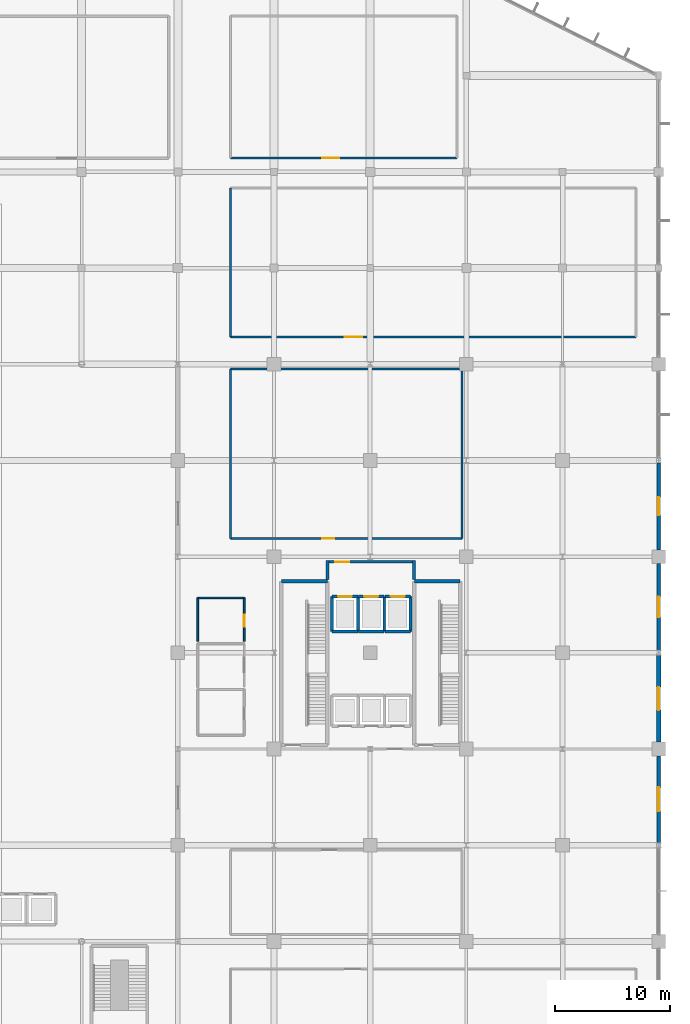
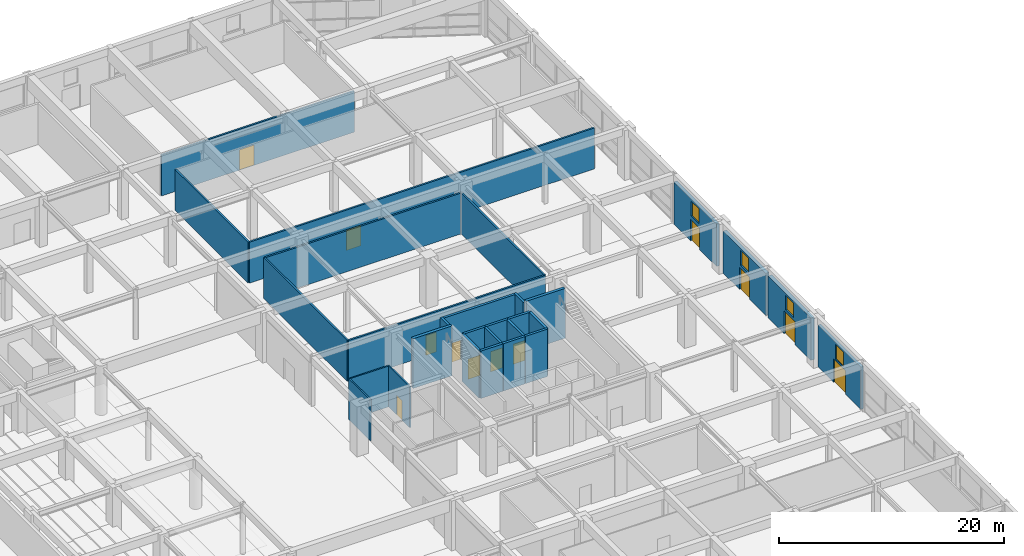
# One storey, part 49 of 62: 29 walls, 12 doors, 4 windows, 16 openings.
"""IFC4 building model written with IfcOpenShell, lengths in metres."""

import ifcopenshell
import ifcopenshell.guid

model = None  # the IFC model being written
_history = None  # IfcOwnerHistory: only IFC2X3 demands one
_inside = {}  # id of a spatial element -> (the spatial element, [elements in it])
_under = {}  # id of a project, library or spatial element -> (it, [spatial elements below it])
_declared = {}  # id of a project -> (the project, [libraries it declares])
_typed = {}  # id of a type object -> (the type object, [elements of that type])
_made_of = {}  # id of a material, layer set ... -> (it, [elements and type objects made of it])


def new_model(schema):
    """Start an empty IFC model of exactly this schema.

    Asked for "IFC4X3", IfcOpenShell would pick the latest addendum, in which some entities
    have other attributes; the version numbers below select the first issue.
    IFC2X3 requires an IfcOwnerHistory on every rooted entity: one is made here for all.
    """
    global model, _history
    if schema == "IFC4X3":
        model = ifcopenshell.file(schema_version=(4, 3, 0, 0))
    else:
        model = ifcopenshell.file(schema=schema)
    _inside.clear()
    _under.clear()
    _declared.clear()
    _typed.clear()
    _made_of.clear()
    _history = None
    if model.schema == "IFC2X3":
        org = make("IfcOrganization", Name="unknown")
        user = make(
            "IfcPersonAndOrganization",
            ThePerson=make("IfcPerson", FamilyName="unknown"),
            TheOrganization=org,
        )
        app = make(
            "IfcApplication",
            ApplicationDeveloper=org,
            Version="unknown",
            ApplicationFullName="unknown",
            ApplicationIdentifier="unknown",
        )
        _history = make(
            "IfcOwnerHistory",
            OwningUser=user,
            OwningApplication=app,
            ChangeAction="ADDED",
            CreationDate=0,
        )
    return model


def make(cls, **values):
    """One entity of the class cls with the attributes given. An attribute that is None is left unset."""
    return model.create_entity(
        cls, **{name: value for name, value in values.items() if value is not None}
    )


def rooted(cls, **values):
    """An entity with a GlobalId (a new one), such as an element, a storey or a relation."""
    return make(cls, GlobalId=ifcopenshell.guid.new(), OwnerHistory=_history, **values)


def si_unit(unit_type, name, prefix=None):
    """IfcSIUnit, for example si_unit("LENGTHUNIT", "METRE", prefix="MILLI")."""
    return make("IfcSIUnit", UnitType=unit_type, Prefix=prefix, Name=name)


def assignment(units):
    """IfcUnitAssignment: the units of a project."""
    return None if units is None else make("IfcUnitAssignment", Units=units)


def point(xyz):
    """IfcCartesianPoint."""
    return None if xyz is None else make("IfcCartesianPoint", Coordinates=xyz)


def direction(xyz):
    """IfcDirection."""
    return None if xyz is None else make("IfcDirection", DirectionRatios=xyz)


def frame(location, z_axis=None, x_axis=None):
    """IfcAxis2Placement3D, a coordinate frame: its origin and axes. An axis left out is left unset."""
    return make(
        "IfcAxis2Placement3D",
        Location=point(location),
        Axis=direction(z_axis),
        RefDirection=direction(x_axis),
    )


def frame_2d(location, x_axis=None):
    """IfcAxis2Placement2D, a coordinate frame in the plane: its origin and x axis."""
    return make(
        "IfcAxis2Placement2D", Location=point(location), RefDirection=direction(x_axis)
    )


def origin():
    """The frame at (0, 0, 0) with its axes left unset."""
    return frame((0.0, 0.0, 0.0))


def place(relative_to, where):
    """IfcLocalPlacement: puts the frame where relative to a parent placement (None: the world)."""
    return make(
        "IfcLocalPlacement", PlacementRelTo=relative_to, RelativePlacement=where
    )


def context(
    kind, dimensions, precision=None, world=None, true_north=None, identifier=None
):
    """IfcGeometricRepresentationContext, for example the 3D "Model" context."""
    return make(
        "IfcGeometricRepresentationContext",
        ContextIdentifier=identifier,
        ContextType=kind,
        CoordinateSpaceDimension=dimensions,
        Precision=precision,
        WorldCoordinateSystem=world,
        TrueNorth=true_north,
    )


def subcontext(parent, identifier, kind, view, scale=None):
    """IfcGeometricRepresentationSubContext, for example "Body" below "Model"."""
    return make(
        "IfcGeometricRepresentationSubContext",
        ContextIdentifier=identifier,
        ContextType=kind,
        ParentContext=parent,
        TargetScale=scale,
        TargetView=view,
    )


def project(units=None, contexts=None):
    """IfcProject with its units and contexts."""
    return rooted(
        "IfcProject",
        Name="project",
        RepresentationContexts=contexts,
        UnitsInContext=assignment(units),
    )


def spatial(cls, under=None, at=None, **own):
    """A site, building, storey or space (cls), placed at a placement, below another one or the project."""
    s = rooted(cls, ObjectPlacement=at, **own)
    if under is not None:
        _under.setdefault(under.id(), (under, []))[1].append(s)
    return s


def profile(cls, at=None, kind="AREA", **sizes):
    """A parametric profile (cls). Its sizes go by their IFC names, for example OverallWidth=200.0."""
    return make(cls, ProfileType=kind, Position=at, **sizes)


def rectangle(**sizes):
    """IfcRectangleProfileDef."""
    return profile("IfcRectangleProfileDef", **sizes)


def extrude(swept, where, along, depth):
    """IfcExtrudedAreaSolid: the profile swept, set in the frame where, extruded along a direction by depth."""
    return make(
        "IfcExtrudedAreaSolid",
        SweptArea=swept,
        Position=where,
        ExtrudedDirection=direction(along),
        Depth=depth,
    )


def shape(context_of_items, identifier, shape_type, items):
    """IfcShapeRepresentation: the items that make up one representation, for example the "Body"."""
    return make(
        "IfcShapeRepresentation",
        ContextOfItems=context_of_items,
        RepresentationIdentifier=identifier,
        RepresentationType=shape_type,
        Items=items,
    )


def material(Name=None, Category=None):
    """IfcMaterial."""
    return make("IfcMaterial", Name=Name, Category=Category)


def layer(
    of_material, thickness, ventilated=None, Name=None, Category=None, Priority=None
):
    """IfcMaterialLayer: one layer of a wall or slab, of a material (None: an air gap)."""
    return make(
        "IfcMaterialLayer",
        Material=of_material,
        LayerThickness=thickness,
        IsVentilated=ventilated,
        Name=Name,
        Category=Category,
        Priority=Priority,
    )


def layer_set(layers, Name=None):
    """IfcMaterialLayerSet."""
    return make("IfcMaterialLayerSet", MaterialLayers=layers, LayerSetName=Name)


def made_of(thing, what):
    """Note that an element or type object is made of a material, layer set ...; save() writes the relation."""
    if what is not None:
        _made_of.setdefault(what.id(), (what, []))[1].append(thing)
    return thing


def type_object(cls, material=None, **own):
    """A type object (cls), such as IfcWallType, which elements share."""
    return made_of(rooted(cls, **own), material)


def element(
    cls,
    number,
    at=None,
    inside=None,
    cuts=None,
    type_object=None,
    material=None,
    context=None,
    identifier="Body",
    shape_type=None,
    held_by="IfcProductDefinitionShape",
    body=None,
    shapes=None,
    **own,
):
    """One element of the class cls, such as IfcWall. Its Tag is "e" and its number.

    at: its placement. inside: the storey or other place that contains it. cuts: it is an
    opening in that element (IfcRelVoidsElement). A single representation is given by context,
    identifier, shape_type and body (its items); several are given by shapes. held_by: the class
    of the entity that holds the representations. save() writes the other relations.
    """
    e = rooted(cls, Tag="e%d" % number, ObjectPlacement=at, **own)
    if body is not None:
        shapes = [shape(context, identifier, shape_type, body)]
    if shapes is not None:
        e.Representation = make(held_by, Representations=shapes)
    if inside is not None:
        _inside.setdefault(inside.id(), (inside, []))[1].append(e)
    if cuts is not None:
        rooted(
            "IfcRelVoidsElement", RelatingBuildingElement=cuts, RelatedOpeningElement=e
        )
    if type_object is not None:
        _typed.setdefault(type_object.id(), (type_object, []))[1].append(e)
    return made_of(e, material)


def fill(opening, filler):
    """IfcRelFillsElement: the door or window that sits in an opening."""
    return rooted(
        "IfcRelFillsElement",
        RelatingOpeningElement=opening,
        RelatedBuildingElement=filler,
    )


def aggregate(whole, parts):
    """IfcRelAggregates: a whole, such as a stair, and the parts it consists of."""
    return rooted("IfcRelAggregates", RelatingObject=whole, RelatedObjects=parts)


def save(model, path):
    """Write the relations noted so far, then the file.

    IfcRelAggregates (storeys below a building ...), IfcRelContainedInSpatialStructure (elements
    in a storey), IfcRelDefinesByType, IfcRelAssociatesMaterial and IfcRelDeclares: one each for
    every whole, place, type object, material and project.
    """
    for whole, parts in _under.values():
        aggregate(whole, parts)
    for where, things in _inside.values():
        rooted(
            "IfcRelContainedInSpatialStructure",
            RelatedElements=things,
            RelatingStructure=where,
        )
    for kind, things in _typed.values():
        rooted("IfcRelDefinesByType", RelatedObjects=things, RelatingType=kind)
    for what, things in _made_of.values():
        rooted("IfcRelAssociatesMaterial", RelatedObjects=things, RelatingMaterial=what)
    for by, libraries in _declared.values():
        rooted("IfcRelDeclares", RelatingContext=by, RelatedDefinitions=libraries)
    model.write(path)


model = new_model("IFC4")

# Units and contexts
model_context = context("Model", 3, precision=1e-05, world=origin(), true_north=direction((0.0, 1.0)))
body_context = subcontext(model_context, "Body", "Model", "MODEL_VIEW")
ifc_project = project(units=[si_unit("LENGTHUNIT", "METRE"), si_unit("AREAUNIT", "SQUARE_METRE"), si_unit("VOLUMEUNIT", "CUBIC_METRE"), si_unit("PLANEANGLEUNIT", "RADIAN"), si_unit("MASSUNIT", "GRAM", prefix="KILO")], contexts=[model_context])

# Site, building, storey
site_placement = place(None, origin())
site = spatial("IfcSite", under=ifc_project, at=site_placement, CompositionType="ELEMENT")
building_placement = place(site_placement, origin())
building = spatial("IfcBuilding", under=site, at=building_placement, Name="Xuanlan Plaza Opera House", CompositionType="ELEMENT")
storey_placement = place(building_placement, origin())
storey = spatial("IfcBuildingStorey", under=building, at=storey_placement, Name="L00", CompositionType="ELEMENT", Elevation=0.0)

# Wall, openings, door, window
ifc_material_1 = material(Name="Anodised Aluminium 6063-T6 and Rockwool Cladding", Category="aluminium")
ifc_layer_1 = layer(ifc_material_1, 0.360107421875)
ifc_layer_set_1 = layer_set([ifc_layer_1], Name="Anodised Aluminium 6063-T6 and Rockwool Cladding")
wall_type_1 = type_object("IfcWallType", Name="ENV-WL-EW-01", PredefinedType="STANDARD", material=ifc_layer_set_1)
wall_1_placement = place(storey_placement, frame((168.0, 51.0, 0.0), z_axis=(0.0, 0.0, 1.0), x_axis=(0.0, 1.0, 0.0)))
wall_1 = element("IfcWall", 1, at=wall_1_placement, inside=storey, type_object=wall_type_1, Name="Exterior Wall L00-023", PredefinedType="STANDARD", context=body_context, shape_type="SweptSolid", body=[
    extrude(rectangle(XDim=7.593017578125, YDim=0.360107421875, at=frame_2d((3.79638671875, 0.0))), origin(), (0.0, 0.0, 1.0), 4.580078125),
])
opening_1_placement = place(wall_1_placement, frame((2.797119140625, 0.0, 0.0)))
opening_1 = element("IfcOpeningElement", 2, at=opening_1_placement, cuts=wall_1, Name="Opening ED-01", PredefinedType="OPENING", context=body_context, shape_type="SweptSolid", body=[
    extrude(rectangle(XDim=2.0, YDim=2.5, at=frame_2d((1.0, 1.25))), frame((0.0, 0.18994140625, 0.0), z_axis=(0.0, -1.0, 0.0), x_axis=(1.0, 0.0, 0.0)), (0.0, 0.0, 1.0), 0.380126953125),
])
opening_2_placement = place(wall_1_placement, frame((3.096923828125, 0.0, 2.75)))
opening_2 = element("IfcOpeningElement", 3, at=opening_2_placement, cuts=wall_1, Name="Opening WN-08", PredefinedType="OPENING", context=body_context, shape_type="SweptSolid", body=[
    extrude(rectangle(XDim=1.39990234375, YDim=1.60009765625, at=frame_2d((0.699951171875, 0.800048828125))), frame((0.0, 0.18994140625, 0.0), z_axis=(0.0, -1.0, 0.0), x_axis=(1.0, 0.0, 0.0)), (0.0, 0.0, 1.0), 0.380126953125),
])
ifc_material_2 = material(Name="Anodised Aluminium 6063-T6 and Laminated Safety Glass", Category="aluminium")
door_type_1 = type_object("IfcDoorType", Name="ENV-DR-ED-01", OperationType="DOUBLE_DOOR_SINGLE_SWING", PredefinedType="DOOR", material=ifc_material_2)
door_1_placement = place(opening_1_placement, frame((2.0, 0.0, 0.0), z_axis=(0.0, 0.0, 1.0), x_axis=(-1.0, 0.0, 0.0)))
door_1 = element("IfcDoor", 4, at=door_1_placement, inside=storey, type_object=door_type_1, Name="Plaza Pedestrian Exit Door 12", OperationType="DOUBLE_DOOR_SINGLE_SWING", OverallHeight=2.5, OverallWidth=2.0, PredefinedType="DOOR", context=body_context, shape_type="SweptSolid", body=[
    extrude(rectangle(XDim=2.0, YDim=2.5, at=frame_2d((1.0, 1.25))), frame((0.0, 0.02490234375, 0.0), z_axis=(0.0, -1.0, 0.0), x_axis=(1.0, 0.0, 0.0)), (0.0, 0.0, 1.0), 0.050048828125),
])
fill(opening_1, door_1)
ifc_material_3 = material(Name="Anodised Aluminium 6063-T6 and Low-E Glass", Category="aluminium")
window_type = type_object("IfcWindowType", Name="ENV-WN-WN-08", PartitioningType="SINGLE_PANEL", PredefinedType="WINDOW", material=ifc_material_3)
window_1_placement = place(opening_2_placement, origin())
window_1 = element("IfcWindow", 5, at=window_1_placement, inside=storey, type_object=window_type, Name="Entrance Portal Transom Clerestory 12", OverallHeight=1.60009765625, OverallWidth=1.39990234375, PartitioningType="SINGLE_PANEL", PredefinedType="WINDOW", context=body_context, shape_type="SweptSolid", body=[
    extrude(rectangle(XDim=1.39990234375, YDim=1.60009765625, at=frame_2d((0.699951171875, 0.800048828125))), frame((0.0, 0.030029296875, 0.0), z_axis=(0.0, -1.0, 0.0), x_axis=(1.0, 0.0, 0.0)), (0.0, 0.0, 1.0), 0.06005859375),
])
fill(opening_2, window_1)

ifc_layer_2 = layer(ifc_material_1, 0.340087890625)
ifc_layer_set_2 = layer_set([ifc_layer_2], Name="Anodised Aluminium 6063-T6 and Rockwool Cladding")
wall_type_2 = type_object("IfcWallType", Name="ENV-WL-EW-02", PredefinedType="STANDARD", material=ifc_layer_set_2)
wall_2_placement = place(storey_placement, frame((168.0, 59.007080078125, 0.0), z_axis=(0.0, 0.0, 1.0), x_axis=(0.0, 1.0, 0.0)))
wall_2 = element("IfcWall", 6, at=wall_2_placement, inside=storey, type_object=wall_type_2, Name="Exterior Wall L00-024", PredefinedType="STANDARD", context=body_context, shape_type="SweptSolid", body=[
    extrude(rectangle(XDim=7.593017578125, YDim=0.340087890625, at=frame_2d((3.79638671875, 0.0))), origin(), (0.0, 0.0, 1.0), 4.580078125),
])
opening_3_placement = place(wall_2_placement, frame((2.89599609375, 0.0, 0.0)))
opening_3 = element("IfcOpeningElement", 7, at=opening_3_placement, cuts=wall_2, Name="Opening ED-02", PredefinedType="OPENING", context=body_context, shape_type="SweptSolid", body=[
    extrude(rectangle(XDim=1.800048828125, YDim=2.39990234375, at=frame_2d((0.89990234375, 1.199951171875))), frame((0.0, 0.179931640625, 0.0), z_axis=(0.0, -1.0, 0.0), x_axis=(1.0, 0.0, 0.0)), (0.0, 0.0, 1.0), 0.360107421875),
])
opening_4_placement = place(wall_2_placement, frame((3.095947265625, 0.0, 2.75)))
opening_4 = element("IfcOpeningElement", 8, at=opening_4_placement, cuts=wall_2, Name="Opening WN-08", PredefinedType="OPENING", context=body_context, shape_type="SweptSolid", body=[
    extrude(rectangle(XDim=1.39990234375, YDim=1.60009765625, at=frame_2d((0.699951171875, 0.800048828125))), frame((0.0, 0.179931640625, 0.0), z_axis=(0.0, -1.0, 0.0), x_axis=(1.0, 0.0, 0.0)), (0.0, 0.0, 1.0), 0.360107421875),
])
door_type_2 = type_object("IfcDoorType", Name="ENV-DR-ED-02", OperationType="DOUBLE_DOOR_SINGLE_SWING", PredefinedType="DOOR", material=ifc_material_2)
door_2_placement = place(opening_3_placement, frame((1.800048828125, 0.0, 0.0), z_axis=(0.0, 0.0, 1.0), x_axis=(-1.0, 0.0, 0.0)))
door_2 = element("IfcDoor", 9, at=door_2_placement, inside=storey, type_object=door_type_2, Name="Plaza Pedestrian Exit Door 13", OperationType="DOUBLE_DOOR_SINGLE_SWING", OverallHeight=2.39990234375, OverallWidth=1.800048828125, PredefinedType="DOOR", context=body_context, shape_type="SweptSolid", body=[
    extrude(rectangle(XDim=1.800048828125, YDim=2.39990234375, at=frame_2d((0.89990234375, 1.199951171875))), frame((0.0, 0.02490234375, 0.0), z_axis=(0.0, -1.0, 0.0), x_axis=(1.0, 0.0, 0.0)), (0.0, 0.0, 1.0), 0.050048828125),
])
fill(opening_3, door_2)
window_2_placement = place(opening_4_placement, origin())
window_2 = element("IfcWindow", 10, at=window_2_placement, inside=storey, type_object=window_type, Name="Entrance Portal Transom Clerestory 13", OverallHeight=1.60009765625, OverallWidth=1.39990234375, PartitioningType="SINGLE_PANEL", PredefinedType="WINDOW", context=body_context, shape_type="SweptSolid", body=[
    extrude(rectangle(XDim=1.39990234375, YDim=1.60009765625, at=frame_2d((0.699951171875, 0.800048828125))), frame((0.0, 0.030029296875, 0.0), z_axis=(0.0, -1.0, 0.0), x_axis=(1.0, 0.0, 0.0)), (0.0, 0.0, 1.0), 0.06005859375),
])
fill(opening_4, window_2)

ifc_layer_3 = layer(ifc_material_1, 0.320068359375)
ifc_layer_set_3 = layer_set([ifc_layer_3], Name="Anodised Aluminium 6063-T6 and Rockwool Cladding")
wall_type_3 = type_object("IfcWallType", Name="ENV-WL-EW-03", PredefinedType="STANDARD", material=ifc_layer_set_3)
wall_3_placement = place(storey_placement, frame((168.0, 67.800048828125, 0.0), z_axis=(0.0, 0.0, 1.0), x_axis=(0.0, 1.0, 0.0)))
wall_3 = element("IfcWall", 11, at=wall_3_placement, inside=storey, type_object=wall_type_3, Name="Exterior Wall L00-025", PredefinedType="STANDARD", context=body_context, shape_type="SweptSolid", body=[
    extrude(rectangle(XDim=7.593017578125, YDim=0.320068359375, at=frame_2d((3.79638671875, 0.0))), origin(), (0.0, 0.0, 1.0), 4.580078125),
])
opening_5_placement = place(wall_3_placement, frame((2.9970703125, 0.0, 0.0)))
opening_5 = element("IfcOpeningElement", 12, at=opening_5_placement, cuts=wall_3, Name="Opening ED-03", PredefinedType="OPENING", context=body_context, shape_type="SweptSolid", body=[
    extrude(rectangle(XDim=1.60009765625, YDim=2.300048828125, at=frame_2d((0.800048828125, 1.14990234375))), frame((0.0, 0.169921875, 0.0), z_axis=(0.0, -1.0, 0.0), x_axis=(1.0, 0.0, 0.0)), (0.0, 0.0, 1.0), 0.340087890625),
])
opening_6_placement = place(wall_3_placement, frame((3.096923828125, 0.0, 2.75)))
opening_6 = element("IfcOpeningElement", 13, at=opening_6_placement, cuts=wall_3, Name="Opening WN-08", PredefinedType="OPENING", context=body_context, shape_type="SweptSolid", body=[
    extrude(rectangle(XDim=1.39990234375, YDim=1.60009765625, at=frame_2d((0.699951171875, 0.800048828125))), frame((0.0, 0.169921875, 0.0), z_axis=(0.0, -1.0, 0.0), x_axis=(1.0, 0.0, 0.0)), (0.0, 0.0, 1.0), 0.340087890625),
])
door_type_3 = type_object("IfcDoorType", Name="ENV-DR-ED-03", OperationType="DOUBLE_DOOR_SINGLE_SWING", PredefinedType="DOOR", material=ifc_material_2)
door_3_placement = place(opening_5_placement, frame((1.60009765625, 0.0, 0.0), z_axis=(0.0, 0.0, 1.0), x_axis=(-1.0, 0.0, 0.0)))
door_3 = element("IfcDoor", 14, at=door_3_placement, inside=storey, type_object=door_type_3, Name="Plaza Pedestrian Exit Door 14", OperationType="DOUBLE_DOOR_SINGLE_SWING", OverallHeight=2.300048828125, OverallWidth=1.60009765625, PredefinedType="DOOR", context=body_context, shape_type="SweptSolid", body=[
    extrude(rectangle(XDim=1.60009765625, YDim=2.300048828125, at=frame_2d((0.800048828125, 1.14990234375))), frame((0.0, 0.02490234375, 0.0), z_axis=(0.0, -1.0, 0.0), x_axis=(1.0, 0.0, 0.0)), (0.0, 0.0, 1.0), 0.050048828125),
])
fill(opening_5, door_3)
window_3_placement = place(opening_6_placement, origin())
window_3 = element("IfcWindow", 15, at=window_3_placement, inside=storey, type_object=window_type, Name="Entrance Portal Transom Clerestory 14", OverallHeight=1.60009765625, OverallWidth=1.39990234375, PartitioningType="SINGLE_PANEL", PredefinedType="WINDOW", context=body_context, shape_type="SweptSolid", body=[
    extrude(rectangle(XDim=1.39990234375, YDim=1.60009765625, at=frame_2d((0.699951171875, 0.800048828125))), frame((0.0, 0.030029296875, 0.0), z_axis=(0.0, -1.0, 0.0), x_axis=(1.0, 0.0, 0.0)), (0.0, 0.0, 1.0), 0.06005859375),
])
fill(opening_6, window_3)

ifc_layer_4 = layer(ifc_material_1, 0.27001953125)
ifc_layer_set_4 = layer_set([ifc_layer_4], Name="Anodised Aluminium 6063-T6 and Rockwool Cladding")
wall_type_4 = type_object("IfcWallType", Name="ENV-WL-EW-06", PredefinedType="STANDARD", material=ifc_layer_set_4)
wall_4_placement = place(storey_placement, frame((168.0, 42.20703125, 0.0), z_axis=(0.0, 0.0, 1.0), x_axis=(0.0, 1.0, 0.0)))
wall_4 = element("IfcWall", 16, at=wall_4_placement, inside=storey, type_object=wall_type_4, Name="Exterior Wall L00-022", PredefinedType="STANDARD", context=body_context, shape_type="SweptSolid", body=[
    extrude(rectangle(XDim=7.593017578125, YDim=0.27001953125, at=frame_2d((3.79638671875, 0.0))), origin(), (0.0, 0.0, 1.0), 4.580078125),
])
opening_7_placement = place(wall_4_placement, frame((2.74609375, 0.0, 0.0)))
opening_7 = element("IfcOpeningElement", 17, at=opening_7_placement, cuts=wall_4, Name="Opening ED-06", PredefinedType="OPENING", context=body_context, shape_type="SweptSolid", body=[
    extrude(rectangle(XDim=2.10009765625, YDim=2.550048828125, at=frame_2d((1.050048828125, 1.27490234375))), frame((0.0, 0.14501953125, 0.0), z_axis=(0.0, -1.0, 0.0), x_axis=(1.0, 0.0, 0.0)), (0.0, 0.0, 1.0), 0.2900390625),
])
opening_8_placement = place(wall_4_placement, frame((3.095947265625, 0.0, 2.75)))
opening_8 = element("IfcOpeningElement", 18, at=opening_8_placement, cuts=wall_4, Name="Opening WN-08", PredefinedType="OPENING", context=body_context, shape_type="SweptSolid", body=[
    extrude(rectangle(XDim=1.39990234375, YDim=1.60009765625, at=frame_2d((0.699951171875, 0.800048828125))), frame((0.0, 0.14501953125, 0.0), z_axis=(0.0, -1.0, 0.0), x_axis=(1.0, 0.0, 0.0)), (0.0, 0.0, 1.0), 0.2900390625),
])
door_type_4 = type_object("IfcDoorType", Name="ENV-DR-ED-06", OperationType="DOUBLE_DOOR_SINGLE_SWING", PredefinedType="DOOR", material=ifc_material_2)
door_4_placement = place(opening_7_placement, frame((2.10009765625, 0.0, 0.0), z_axis=(0.0, 0.0, 1.0), x_axis=(-1.0, 0.0, 0.0)))
door_4 = element("IfcDoor", 19, at=door_4_placement, inside=storey, type_object=door_type_4, Name="Plaza Pedestrian Exit Door 11", OperationType="DOUBLE_DOOR_SINGLE_SWING", OverallHeight=2.550048828125, OverallWidth=2.10009765625, PredefinedType="DOOR", context=body_context, shape_type="SweptSolid", body=[
    extrude(rectangle(XDim=2.10009765625, YDim=2.550048828125, at=frame_2d((1.050048828125, 1.27490234375))), frame((0.0, 0.02490234375, 0.0), z_axis=(0.0, -1.0, 0.0), x_axis=(1.0, 0.0, 0.0)), (0.0, 0.0, 1.0), 0.050048828125),
])
fill(opening_7, door_4)
window_4_placement = place(opening_8_placement, origin())
window_4 = element("IfcWindow", 20, at=window_4_placement, inside=storey, type_object=window_type, Name="Entrance Portal Transom Clerestory 11", OverallHeight=1.60009765625, OverallWidth=1.39990234375, PartitioningType="SINGLE_PANEL", PredefinedType="WINDOW", context=body_context, shape_type="SweptSolid", body=[
    extrude(rectangle(XDim=1.39990234375, YDim=1.60009765625, at=frame_2d((0.699951171875, 0.800048828125))), frame((0.0, 0.030029296875, 0.0), z_axis=(0.0, -1.0, 0.0), x_axis=(1.0, 0.0, 0.0)), (0.0, 0.0, 1.0), 0.06005859375),
])
fill(opening_8, window_4)

# Wall, opening, door
ifc_material_4 = material(Name="Gypsum Board and Galvanised Steel Studs", Category="gypsum")
ifc_layer_5 = layer(ifc_material_4, 0.179931640625)
ifc_layer_set_5 = layer_set([ifc_layer_5], Name="Gypsum Board and Galvanised Steel Studs")
wall_type_5 = type_object("IfcWallType", Name="INT-WL-PW-02", PredefinedType="PARTITIONING", material=ifc_layer_set_5)
wall_5_placement = place(storey_placement, frame((130.60009765625, 102.0, 0.0), z_axis=(0.0, 0.0, 1.0), x_axis=(1.0, 0.0, 0.0)))
wall_5 = element("IfcWall", 21, at=wall_5_placement, inside=storey, type_object=wall_type_5, Name="Facility Operations Workshop Wall South", PredefinedType="PARTITIONING", context=body_context, shape_type="SweptSolid", body=[
    extrude(rectangle(XDim=19.7998046875, YDim=0.179931640625, at=frame_2d((9.89990234375, 0.0))), origin(), (0.0, 0.0, 1.0), 4.43994140625),
])
opening_9_placement = place(wall_5_placement, frame((8.0, 0.0, 0.0)))
opening_9 = element("IfcOpeningElement", 22, at=opening_9_placement, cuts=wall_5, Name="Opening D-03", PredefinedType="OPENING", context=body_context, shape_type="SweptSolid", body=[
    extrude(rectangle(XDim=1.5, YDim=2.199951171875, at=frame_2d((0.75, 1.10009765625))), frame((0.0, 0.099853515625, 0.0), z_axis=(0.0, -1.0, 0.0), x_axis=(1.0, 0.0, 0.0)), (0.0, 0.0, 1.0), 0.199951171875),
])
ifc_material_5 = material(Name="Walnut Hardwood Timber", Category="wood")
door_type_5 = type_object("IfcDoorType", Name="INT-DR-D-03", OperationType="DOUBLE_DOOR_SINGLE_SWING", PredefinedType="DOOR", material=ifc_material_5)
door_5_placement = place(opening_9_placement, origin())
door_5 = element("IfcDoor", 23, at=door_5_placement, inside=storey, type_object=door_type_5, Name="Facility Operations Workshop Door 1", OperationType="DOUBLE_DOOR_SINGLE_SWING", OverallHeight=2.199951171875, OverallWidth=1.5, PredefinedType="DOOR", context=body_context, shape_type="SweptSolid", body=[
    extrude(rectangle(XDim=1.5, YDim=2.199951171875, at=frame_2d((0.75, 1.10009765625))), frame((0.0, 0.02490234375, 0.0), z_axis=(0.0, -1.0, 0.0), x_axis=(1.0, 0.0, 0.0)), (0.0, 0.0, 1.0), 0.050048828125),
])
fill(opening_9, door_5)

wall_6_placement = place(storey_placement, frame((130.60009765625, 68.800048828125, 0.0), z_axis=(0.0, 0.0, 1.0), x_axis=(1.0, 0.0, 0.0)))
wall_6 = element("IfcWall", 24, at=wall_6_placement, inside=storey, type_object=wall_type_5, Name="Tower Cultural Reception Office Wall South", PredefinedType="PARTITIONING", context=body_context, shape_type="SweptSolid", body=[
    extrude(rectangle(XDim=20.199951171875, YDim=0.179931640625, at=frame_2d((10.10009765625, 0.0))), origin(), (0.0, 0.0, 1.0), 4.43994140625),
])
opening_10_placement = place(wall_6_placement, frame((8.0, 0.0, 0.0)))
opening_10 = element("IfcOpeningElement", 25, at=opening_10_placement, cuts=wall_6, Name="Opening D-16", PredefinedType="OPENING", context=body_context, shape_type="SweptSolid", body=[
    extrude(rectangle(XDim=1.050048828125, YDim=2.159912109375, at=frame_2d((0.52490234375, 1.080078125))), frame((0.0, 0.099853515625, 0.0), z_axis=(0.0, -1.0, 0.0), x_axis=(1.0, 0.0, 0.0)), (0.0, 0.0, 1.0), 0.199951171875),
])
ifc_material_6 = material(Name="Oak Hardwood Timber", Category="wood")
door_type_6 = type_object("IfcDoorType", Name="INT-DR-D-16", OperationType="NOTDEFINED", PredefinedType="DOOR", material=ifc_material_6)
door_6_placement = place(opening_10_placement, origin())
door_6 = element("IfcDoor", 26, at=door_6_placement, inside=storey, type_object=door_type_6, Name="Tower Cultural Reception Office Door 1", OperationType="SINGLE_SWING_LEFT", OverallHeight=2.159912109375, OverallWidth=1.050048828125, PredefinedType="DOOR", context=body_context, shape_type="SweptSolid", body=[
    extrude(rectangle(XDim=1.050048828125, YDim=2.159912109375, at=frame_2d((0.52490234375, 1.080078125))), frame((0.0, 0.02490234375, 0.0), z_axis=(0.0, -1.0, 0.0), x_axis=(1.0, 0.0, 0.0)), (0.0, 0.0, 1.0), 0.050048828125),
])
fill(opening_10, door_6)

# Walls
wall_7_placement = place(storey_placement, frame((130.60009765625, 83.60009765625, 0.0), z_axis=(0.0, 0.0, 1.0), x_axis=(1.0, 0.0, 0.0)))
element("IfcWall", 27, at=wall_7_placement, inside=storey, type_object=wall_type_5, Name="Tower Cultural Reception Office Wall North", PredefinedType="PARTITIONING", context=body_context, shape_type="SweptSolid", body=[
    extrude(rectangle(XDim=20.199951171875, YDim=0.179931640625, at=frame_2d((10.10009765625, 0.0))), origin(), (0.0, 0.0, 1.0), 4.43994140625),
])
for number, where, z_axis, x_axis, name in (
    (28, (130.60009765625, 68.800048828125, 0.0), (0.0, 0.0, 1.0), (0.0, 1.0, 0.0), "Tower Cultural Reception Office Wall West"),
    (29, (150.800048828125, 68.800048828125, 0.0), (0.0, 0.0, 1.0), (0.0, 1.0, 0.0), "Tower Cultural Reception Office Wall East"),
):
    element("IfcWall", number, at=place(storey_placement, frame(where, z_axis=z_axis, x_axis=x_axis)), inside=storey, type_object=wall_type_5, Name=name, PredefinedType="PARTITIONING", context=body_context, shape_type="SweptSolid", body=[
        extrude(rectangle(XDim=14.800048828125, YDim=0.179931640625, at=frame_2d((7.39990234375, 0.0))), origin(), (0.0, 0.0, 1.0), 4.43994140625),
    ])

# Wall, opening, door
wall_8_placement = place(storey_placement, frame((130.60009765625, 86.39990234375, 0.0), z_axis=(0.0, 0.0, 1.0), x_axis=(1.0, 0.0, 0.0)))
wall_8 = element("IfcWall", 30, at=wall_8_placement, inside=storey, type_object=wall_type_5, Name="Arts Foundation Exhibition Archive Wall South", PredefinedType="PARTITIONING", context=body_context, shape_type="SweptSolid", body=[
    extrude(rectangle(XDim=35.39990234375, YDim=0.179931640625, at=frame_2d((17.699951171875, 0.0))), origin(), (0.0, 0.0, 1.0), 4.43994140625),
])
opening_11_placement = place(wall_8_placement, frame((10.0, 0.0, 0.0)))
opening_11 = element("IfcOpeningElement", 31, at=opening_11_placement, cuts=wall_8, Name="Opening D-03", PredefinedType="OPENING", context=body_context, shape_type="SweptSolid", body=[
    extrude(rectangle(XDim=1.5, YDim=2.199951171875, at=frame_2d((0.75, 1.10009765625))), frame((0.0, 0.099853515625, 0.0), z_axis=(0.0, -1.0, 0.0), x_axis=(1.0, 0.0, 0.0)), (0.0, 0.0, 1.0), 0.199951171875),
])
door_7_placement = place(opening_11_placement, origin())
door_7 = element("IfcDoor", 32, at=door_7_placement, inside=storey, type_object=door_type_5, Name="Arts Foundation Exhibition Archive Door 1", OperationType="DOUBLE_DOOR_SINGLE_SWING", OverallHeight=2.199951171875, OverallWidth=1.5, PredefinedType="DOOR", context=body_context, shape_type="SweptSolid", body=[
    extrude(rectangle(XDim=1.5, YDim=2.199951171875, at=frame_2d((0.75, 1.10009765625))), frame((0.0, 0.02490234375, 0.0), z_axis=(0.0, -1.0, 0.0), x_axis=(1.0, 0.0, 0.0)), (0.0, 0.0, 1.0), 0.050048828125),
])
fill(opening_11, door_7)

# Walls
wall_9_placement = place(storey_placement, frame((130.60009765625, 86.39990234375, 0.0), z_axis=(0.0, 0.0, 1.0), x_axis=(0.0, 1.0, 0.0)))
element("IfcWall", 33, at=wall_9_placement, inside=storey, type_object=wall_type_5, Name="Arts Foundation Exhibition Archive Wall West", PredefinedType="PARTITIONING", context=body_context, shape_type="SweptSolid", body=[
    extrude(rectangle(XDim=13.0, YDim=0.179931640625, at=frame_2d((6.5, 0.0))), origin(), (0.0, 0.0, 1.0), 4.43994140625),
])
ifc_material_7 = material(Name="Autoclaved Aerated Blockwork Masonry", Category="masonry")
ifc_layer_6 = layer(ifc_material_7, 0.14990234375)
ifc_layer_set_6 = layer_set([ifc_layer_6], Name="Autoclaved Aerated Blockwork Masonry")
wall_type_6 = type_object("IfcWallType", Name="INT-WL-PW-03", PredefinedType="PARTITIONING", material=ifc_layer_set_6)
wall_10_placement = place(storey_placement, frame((127.75, 63.60009765625, 0.0), z_axis=(0.0, 0.0, 1.0), x_axis=(1.0, 0.0, 0.0)))
element("IfcWall", 34, at=wall_10_placement, inside=storey, type_object=wall_type_6, Name="Accessible WC Wall North", PredefinedType="PARTITIONING", context=body_context, shape_type="SweptSolid", body=[
    extrude(rectangle(XDim=4.050048828125, YDim=0.14990234375, at=frame_2d((2.02490234375, 0.0))), origin(), (0.0, 0.0, 1.0), 4.43994140625),
])
wall_11_placement = place(storey_placement, frame((127.75, 59.800048828125, 0.0), z_axis=(0.0, 0.0, 1.0), x_axis=(0.0, 1.0, 0.0)))
element("IfcWall", 35, at=wall_11_placement, inside=storey, type_object=wall_type_6, Name="Accessible WC Wall West", PredefinedType="PARTITIONING", context=body_context, shape_type="SweptSolid", body=[
    extrude(rectangle(XDim=3.800048828125, YDim=0.14990234375, at=frame_2d((1.89990234375, 0.0))), origin(), (0.0, 0.0, 1.0), 4.43994140625),
])

# Wall, opening, door
wall_12_placement = place(storey_placement, frame((131.800048828125, 59.800048828125, 0.0), z_axis=(0.0, 0.0, 1.0), x_axis=(0.0, 1.0, 0.0)))
wall_12 = element("IfcWall", 36, at=wall_12_placement, inside=storey, type_object=wall_type_6, Name="Accessible WC Wall East", PredefinedType="PARTITIONING", context=body_context, shape_type="SweptSolid", body=[
    extrude(rectangle(XDim=3.800048828125, YDim=0.14990234375, at=frame_2d((1.89990234375, 0.0))), origin(), (0.0, 0.0, 1.0), 4.43994140625),
])
opening_12_placement = place(wall_12_placement, frame((1.300048828125, 0.0, 0.0)))
opening_12 = element("IfcOpeningElement", 37, at=opening_12_placement, cuts=wall_12, Name="Opening D-02", PredefinedType="OPENING", context=body_context, shape_type="SweptSolid", body=[
    extrude(rectangle(XDim=1.02001953125, YDim=2.10009765625, at=frame_2d((0.510009765625, 1.050048828125))), frame((0.0, 0.0849609375, 0.0), z_axis=(0.0, -1.0, 0.0), x_axis=(1.0, 0.0, 0.0)), (0.0, 0.0, 1.0), 0.169921875),
])
door_type_7 = type_object("IfcDoorType", Name="INT-DR-D-02", OperationType="NOTDEFINED", PredefinedType="DOOR", material=ifc_material_6)
door_8_placement = place(opening_12_placement, origin())
door_8 = element("IfcDoor", 38, at=door_8_placement, inside=storey, type_object=door_type_7, Name="Accessible WC Door 1", OperationType="SINGLE_SWING_RIGHT", OverallHeight=2.10009765625, OverallWidth=1.02001953125, PredefinedType="DOOR", context=body_context, shape_type="SweptSolid", body=[
    extrude(rectangle(XDim=1.02001953125, YDim=2.10009765625, at=frame_2d((0.510009765625, 1.050048828125))), frame((0.0, 0.02490234375, 0.0), z_axis=(0.0, -1.0, 0.0), x_axis=(1.0, 0.0, 0.0)), (0.0, 0.0, 1.0), 0.050048828125),
])
fill(opening_12, door_8)

# Wall
ifc_material_8 = material(Name="Concrete C40", Category="concrete")
ifc_layer_7 = layer(ifc_material_8, 0.25)
ifc_layer_set_7 = layer_set([ifc_layer_7], Name="Concrete C40")
wall_type_7 = type_object("IfcWallType", Name="INT-WL-SW-LF1", PredefinedType="SHEAR", material=ifc_layer_set_7)
wall_13_placement = place(storey_placement, frame((139.47509765625, 60.675048828125, 0.0), z_axis=(0.0, 0.0, 1.0), x_axis=(1.0, 0.0, 0.0)))
element("IfcWall", 39, at=wall_13_placement, inside=storey, type_object=wall_type_7, Name="Lift Shaft Wall LF-FF1 L00 South", PredefinedType="SHEAR", context=body_context, shape_type="SweptSolid", body=[
    extrude(rectangle(XDim=2.25, YDim=0.25, at=frame_2d((1.125, 0.0))), origin(), (0.0, 0.0, 1.0), 5.139892578125),
])

# Wall, opening, door
wall_14_placement = place(storey_placement, frame((139.47509765625, 63.72509765625, 0.0), z_axis=(0.0, 0.0, 1.0), x_axis=(1.0, 0.0, 0.0)))
wall_14 = element("IfcWall", 40, at=wall_14_placement, inside=storey, type_object=wall_type_7, Name="Lift Shaft Wall LF-FF1 L00 North", PredefinedType="SHEAR", context=body_context, shape_type="SweptSolid", body=[
    extrude(rectangle(XDim=2.25, YDim=0.25, at=frame_2d((1.125, 0.0))), origin(), (0.0, 0.0, 1.0), 5.139892578125),
])
opening_13_placement = place(wall_14_placement, frame((0.52490234375, 0.0, 0.0)))
opening_13 = element("IfcOpeningElement", 41, at=opening_13_placement, cuts=wall_14, Name="Opening LD-FF1-L00", PredefinedType="OPENING", context=body_context, shape_type="SweptSolid", body=[
    extrude(rectangle(XDim=1.199951171875, YDim=2.179931640625, at=frame_2d((0.60009765625, 1.08984375))), frame((0.0, 0.135009765625, 0.0), z_axis=(0.0, -1.0, 0.0), x_axis=(1.0, 0.0, 0.0)), (0.0, 0.0, 1.0), 0.27001953125),
])
ifc_material_9 = material(Name="Stainless Steel S30408", Category="steel")
door_type_8 = type_object("IfcDoorType", Name="INT-DR-LD-02", OperationType="DOUBLE_DOOR_SLIDING", PredefinedType="DOOR", material=ifc_material_9)
door_9_placement = place(opening_13_placement, origin())
door_9 = element("IfcDoor", 42, at=door_9_placement, inside=storey, type_object=door_type_8, Name="Lift Sliding Landing Door LF-FF1 L00", OperationType="DOUBLE_DOOR_SLIDING", OverallHeight=2.179931640625, OverallWidth=1.199951171875, PredefinedType="DOOR", context=body_context, shape_type="SweptSolid", body=[
    extrude(rectangle(XDim=1.199951171875, YDim=2.179931640625, at=frame_2d((0.60009765625, 1.08984375))), frame((0.0, 0.02490234375, 0.0), z_axis=(0.0, -1.0, 0.0), x_axis=(1.0, 0.0, 0.0)), (0.0, 0.0, 1.0), 0.050048828125),
])
fill(opening_13, door_9)

# Walls
for number, where, z_axis, x_axis, name in (
    (43, (139.47509765625, 60.675048828125, 0.0), (0.0, 0.0, 1.0), (0.0, 1.0, 0.0), "Lift Shaft Wall LF-FF1 L00 West"),
    (44, (141.72509765625, 60.675048828125, 0.0), (0.0, 0.0, 1.0), (0.0, 1.0, 0.0), "Lift Shaft Wall LF-FF1 L00 East"),
):
    element("IfcWall", number, at=place(storey_placement, frame(where, z_axis=z_axis, x_axis=x_axis)), inside=storey, type_object=wall_type_7, Name=name, PredefinedType="SHEAR", context=body_context, shape_type="SweptSolid", body=[
        extrude(rectangle(XDim=3.050048828125, YDim=0.25, at=frame_2d((1.52490234375, 0.0))), origin(), (0.0, 0.0, 1.0), 5.139892578125),
    ])
wall_15_placement = place(storey_placement, frame((141.77490234375, 60.675048828125, 0.0), z_axis=(0.0, 0.0, 1.0), x_axis=(1.0, 0.0, 0.0)))
element("IfcWall", 45, at=wall_15_placement, inside=storey, type_object=wall_type_7, Name="Lift Shaft Wall LF-FF2 L00 South", PredefinedType="SHEAR", context=body_context, shape_type="SweptSolid", body=[
    extrude(rectangle(XDim=2.25, YDim=0.25, at=frame_2d((1.125, 0.0))), origin(), (0.0, 0.0, 1.0), 5.139892578125),
])

# Wall, opening, door
wall_16_placement = place(storey_placement, frame((141.77490234375, 63.72509765625, 0.0), z_axis=(0.0, 0.0, 1.0), x_axis=(1.0, 0.0, 0.0)))
wall_16 = element("IfcWall", 46, at=wall_16_placement, inside=storey, type_object=wall_type_7, Name="Lift Shaft Wall LF-FF2 L00 North", PredefinedType="SHEAR", context=body_context, shape_type="SweptSolid", body=[
    extrude(rectangle(XDim=2.25, YDim=0.25, at=frame_2d((1.125, 0.0))), origin(), (0.0, 0.0, 1.0), 5.139892578125),
])
opening_14_placement = place(wall_16_placement, frame((0.52490234375, 0.0, 0.0)))
opening_14 = element("IfcOpeningElement", 47, at=opening_14_placement, cuts=wall_16, Name="Opening LD-FF2-L00", PredefinedType="OPENING", context=body_context, shape_type="SweptSolid", body=[
    extrude(rectangle(XDim=1.199951171875, YDim=2.179931640625, at=frame_2d((0.60009765625, 1.08984375))), frame((0.0, 0.135009765625, 0.0), z_axis=(0.0, -1.0, 0.0), x_axis=(1.0, 0.0, 0.0)), (0.0, 0.0, 1.0), 0.27001953125),
])
door_10_placement = place(opening_14_placement, origin())
door_10 = element("IfcDoor", 48, at=door_10_placement, inside=storey, type_object=door_type_8, Name="Lift Sliding Landing Door LF-FF2 L00", OperationType="DOUBLE_DOOR_SLIDING", OverallHeight=2.179931640625, OverallWidth=1.199951171875, PredefinedType="DOOR", context=body_context, shape_type="SweptSolid", body=[
    extrude(rectangle(XDim=1.199951171875, YDim=2.179931640625, at=frame_2d((0.60009765625, 1.08984375))), frame((0.0, 0.02490234375, 0.0), z_axis=(0.0, -1.0, 0.0), x_axis=(1.0, 0.0, 0.0)), (0.0, 0.0, 1.0), 0.050048828125),
])
fill(opening_14, door_10)

# Walls
wall_17_placement = place(storey_placement, frame((144.02490234375, 60.675048828125, 0.0), z_axis=(0.0, 0.0, 1.0), x_axis=(0.0, 1.0, 0.0)))
element("IfcWall", 49, at=wall_17_placement, inside=storey, type_object=wall_type_7, Name="Lift Shaft Wall LF-FF2 L00 East", PredefinedType="SHEAR", context=body_context, shape_type="SweptSolid", body=[
    extrude(rectangle(XDim=3.050048828125, YDim=0.25, at=frame_2d((1.52490234375, 0.0))), origin(), (0.0, 0.0, 1.0), 5.139892578125),
])
wall_18_placement = place(storey_placement, frame((144.074951171875, 60.675048828125, 0.0), z_axis=(0.0, 0.0, 1.0), x_axis=(1.0, 0.0, 0.0)))
element("IfcWall", 50, at=wall_18_placement, inside=storey, type_object=wall_type_7, Name="Lift Shaft Wall LF-FF3 L00 South", PredefinedType="SHEAR", context=body_context, shape_type="SweptSolid", body=[
    extrude(rectangle(XDim=2.25, YDim=0.25, at=frame_2d((1.125, 0.0))), origin(), (0.0, 0.0, 1.0), 5.139892578125),
])

# Wall, opening, door
wall_19_placement = place(storey_placement, frame((144.074951171875, 63.72509765625, 0.0), z_axis=(0.0, 0.0, 1.0), x_axis=(1.0, 0.0, 0.0)))
wall_19 = element("IfcWall", 51, at=wall_19_placement, inside=storey, type_object=wall_type_7, Name="Lift Shaft Wall LF-FF3 L00 North", PredefinedType="SHEAR", context=body_context, shape_type="SweptSolid", body=[
    extrude(rectangle(XDim=2.25, YDim=0.25, at=frame_2d((1.125, 0.0))), origin(), (0.0, 0.0, 1.0), 5.139892578125),
])
opening_15_placement = place(wall_19_placement, frame((0.52490234375, 0.0, 0.0)))
opening_15 = element("IfcOpeningElement", 52, at=opening_15_placement, cuts=wall_19, Name="Opening LD-FF3-L00", PredefinedType="OPENING", context=body_context, shape_type="SweptSolid", body=[
    extrude(rectangle(XDim=1.199951171875, YDim=2.179931640625, at=frame_2d((0.60009765625, 1.08984375))), frame((0.0, 0.135009765625, 0.0), z_axis=(0.0, -1.0, 0.0), x_axis=(1.0, 0.0, 0.0)), (0.0, 0.0, 1.0), 0.27001953125),
])
door_11_placement = place(opening_15_placement, origin())
door_11 = element("IfcDoor", 53, at=door_11_placement, inside=storey, type_object=door_type_8, Name="Lift Sliding Landing Door LF-FF3 L00", OperationType="DOUBLE_DOOR_SLIDING", OverallHeight=2.179931640625, OverallWidth=1.199951171875, PredefinedType="DOOR", context=body_context, shape_type="SweptSolid", body=[
    extrude(rectangle(XDim=1.199951171875, YDim=2.179931640625, at=frame_2d((0.60009765625, 1.08984375))), frame((0.0, 0.02490234375, 0.0), z_axis=(0.0, -1.0, 0.0), x_axis=(1.0, 0.0, 0.0)), (0.0, 0.0, 1.0), 0.050048828125),
])
fill(opening_15, door_11)

# Walls
wall_20_placement = place(storey_placement, frame((146.324951171875, 60.675048828125, 0.0), z_axis=(0.0, 0.0, 1.0), x_axis=(0.0, 1.0, 0.0)))
element("IfcWall", 54, at=wall_20_placement, inside=storey, type_object=wall_type_7, Name="Lift Shaft Wall LF-FF3 L00 East", PredefinedType="SHEAR", context=body_context, shape_type="SweptSolid", body=[
    extrude(rectangle(XDim=3.050048828125, YDim=0.25, at=frame_2d((1.52490234375, 0.0))), origin(), (0.0, 0.0, 1.0), 5.139892578125),
])
for number, where, z_axis, x_axis, name in (
    (55, (139.074951171875, 65.199951171875, 0.0), (0.0, 0.0, 1.0), (0.0, 1.0, 0.0), "Firefighting Lift Lobby Enclosure Wall L00 W"),
    (56, (146.625, 65.199951171875, 0.0), (0.0, 0.0, 1.0), (0.0, 1.0, 0.0), "Firefighting Lift Lobby Enclosure Wall L00 E"),
):
    element("IfcWall", number, at=place(storey_placement, frame(where, z_axis=z_axis, x_axis=x_axis)), inside=storey, type_object=wall_type_7, Name=name, PredefinedType="SHEAR", context=body_context, shape_type="SweptSolid", body=[
        extrude(rectangle(XDim=1.675048828125, YDim=0.25, at=frame_2d((0.83740234375, 0.0))), origin(), (0.0, 0.0, 1.0), 5.139892578125),
    ])

# Wall, opening, door
wall_21_placement = place(storey_placement, frame((139.199951171875, 66.75, 0.0), z_axis=(0.0, 0.0, 1.0), x_axis=(1.0, 0.0, 0.0)))
wall_21 = element("IfcWall", 57, at=wall_21_placement, inside=storey, type_object=wall_type_7, Name="Firefighting Lift Lobby Wall North", PredefinedType="SHEAR", context=body_context, shape_type="SweptSolid", body=[
    extrude(rectangle(XDim=7.300048828125, YDim=0.25, at=frame_2d((3.64990234375, 0.0))), origin(), (0.0, 0.0, 1.0), 5.139892578125),
])
opening_16_placement = place(wall_21_placement, frame((0.550048828125, 0.0, 0.0)))
opening_16 = element("IfcOpeningElement", 58, at=opening_16_placement, cuts=wall_21, Name="Opening FD-02", PredefinedType="OPENING", context=body_context, shape_type="SweptSolid", body=[
    extrude(rectangle(XDim=1.199951171875, YDim=2.14990234375, at=frame_2d((0.60009765625, 1.074951171875))), frame((0.0, 0.135009765625, 0.0), z_axis=(0.0, -1.0, 0.0), x_axis=(1.0, 0.0, 0.0)), (0.0, 0.0, 1.0), 0.27001953125),
])
ifc_material_10 = material(Name="Galvanised Steel Q235B", Category="steel")
door_type_9 = type_object("IfcDoorType", Name="INT-DR-FD-02", OperationType="NOTDEFINED", PredefinedType="DOOR", material=ifc_material_10)
door_12_placement = place(opening_16_placement, origin())
door_12 = element("IfcDoor", 59, at=door_12_placement, inside=storey, type_object=door_type_9, Name="Firefighting Lift Lobby Door 1", OperationType="SINGLE_SWING_RIGHT", OverallHeight=2.14990234375, OverallWidth=1.199951171875, PredefinedType="DOOR", context=body_context, shape_type="SweptSolid", body=[
    extrude(rectangle(XDim=1.199951171875, YDim=2.14990234375, at=frame_2d((0.60009765625, 1.074951171875))), frame((0.0, 0.02490234375, 0.0), z_axis=(0.0, -1.0, 0.0), x_axis=(1.0, 0.0, 0.0)), (0.0, 0.0, 1.0), 0.050048828125),
])
fill(opening_16, door_12)

# Walls
ifc_layer_8 = layer(ifc_material_8, 0.300048828125)
ifc_layer_set_8 = layer_set([ifc_layer_8], Name="Concrete C40")
wall_type_8 = type_object("IfcWallType", Name="INT-WL-SW-ST1", PredefinedType="SHEAR", material=ifc_layer_set_8)
for number, where, z_axis, x_axis, name in (
    (60, (135.050048828125, 65.050048828125, 0.0), (0.0, 0.0, 1.0), (1.0, 0.0, 0.0), "Stair Core Wall ST-T1 L00 North"),
    (61, (146.64990234375, 65.050048828125, 0.0), (0.0, 0.0, 1.0), (1.0, 0.0, 0.0), "Stair Core Wall ST-T2 L00 North"),
):
    element("IfcWall", number, at=place(storey_placement, frame(where, z_axis=z_axis, x_axis=x_axis)), inside=storey, type_object=wall_type_8, Name=name, PredefinedType="SHEAR", context=body_context, shape_type="SweptSolid", body=[
        extrude(rectangle(XDim=4.0, YDim=0.300048828125, at=frame_2d((2.0, 0.0))), origin(), (0.0, 0.0, 1.0), 5.39990234375),
    ])

save(model, "model.ifc")
